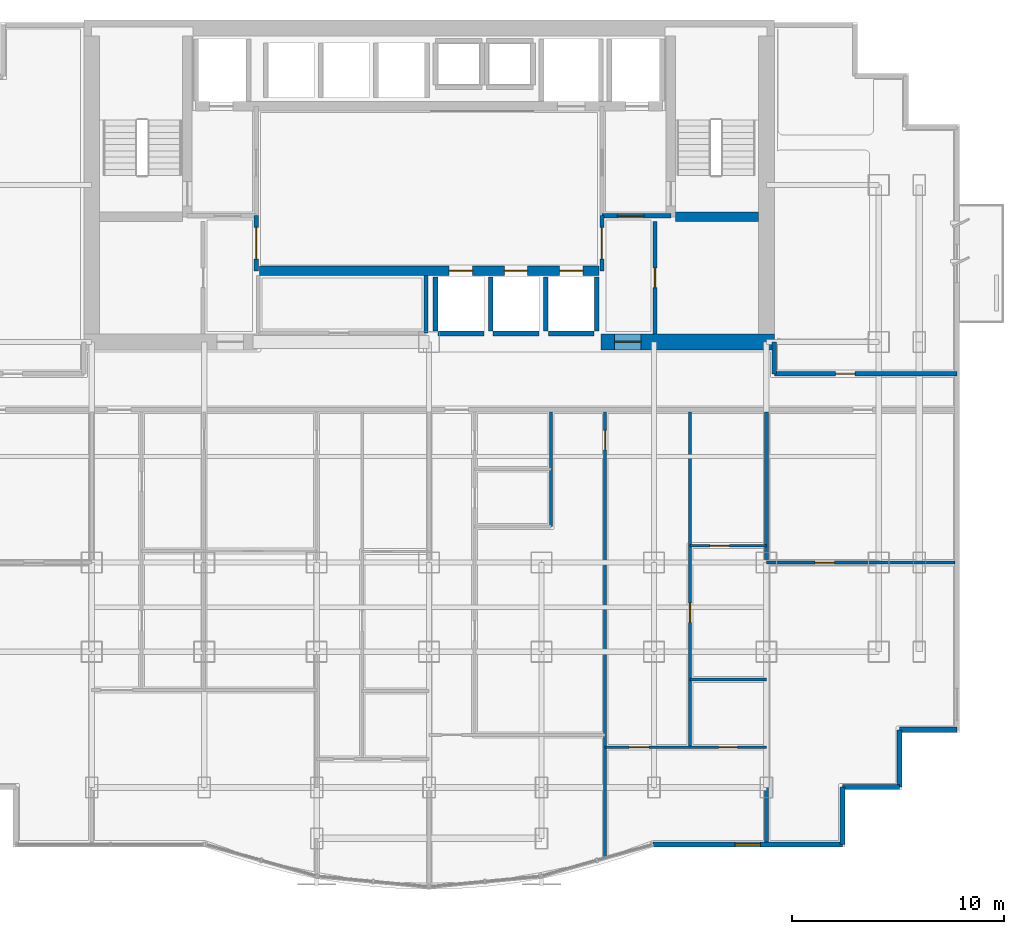
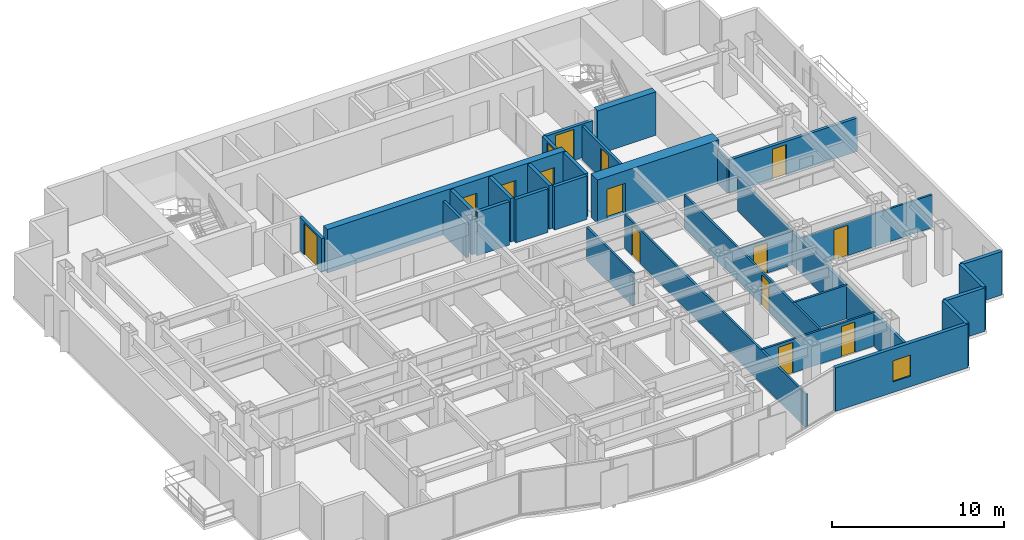
# One storey, part 6 of 10: 30 walls, 15 doors, 1 window, 16 openings.
"""IFC4 building model written with IfcOpenShell, lengths in metres."""

import ifcopenshell
import ifcopenshell.guid

model = None  # the IFC model being written
_history = None  # IfcOwnerHistory: only IFC2X3 demands one
_inside = {}  # id of a spatial element -> (the spatial element, [elements in it])
_under = {}  # id of a project, library or spatial element -> (it, [spatial elements below it])
_declared = {}  # id of a project -> (the project, [libraries it declares])
_typed = {}  # id of a type object -> (the type object, [elements of that type])
_made_of = {}  # id of a material, layer set ... -> (it, [elements and type objects made of it])


def new_model(schema):
    """Start an empty IFC model of exactly this schema.

    Asked for "IFC4X3", IfcOpenShell would pick the latest addendum, in which some entities
    have other attributes; the version numbers below select the first issue.
    IFC2X3 requires an IfcOwnerHistory on every rooted entity: one is made here for all.
    """
    global model, _history
    if schema == "IFC4X3":
        model = ifcopenshell.file(schema_version=(4, 3, 0, 0))
    else:
        model = ifcopenshell.file(schema=schema)
    _inside.clear()
    _under.clear()
    _declared.clear()
    _typed.clear()
    _made_of.clear()
    _history = None
    if model.schema == "IFC2X3":
        org = make("IfcOrganization", Name="unknown")
        user = make(
            "IfcPersonAndOrganization",
            ThePerson=make("IfcPerson", FamilyName="unknown"),
            TheOrganization=org,
        )
        app = make(
            "IfcApplication",
            ApplicationDeveloper=org,
            Version="unknown",
            ApplicationFullName="unknown",
            ApplicationIdentifier="unknown",
        )
        _history = make(
            "IfcOwnerHistory",
            OwningUser=user,
            OwningApplication=app,
            ChangeAction="ADDED",
            CreationDate=0,
        )
    return model


def make(cls, **values):
    """One entity of the class cls with the attributes given. An attribute that is None is left unset."""
    return model.create_entity(
        cls, **{name: value for name, value in values.items() if value is not None}
    )


def rooted(cls, **values):
    """An entity with a GlobalId (a new one), such as an element, a storey or a relation."""
    return make(cls, GlobalId=ifcopenshell.guid.new(), OwnerHistory=_history, **values)


def si_unit(unit_type, name, prefix=None):
    """IfcSIUnit, for example si_unit("LENGTHUNIT", "METRE", prefix="MILLI")."""
    return make("IfcSIUnit", UnitType=unit_type, Prefix=prefix, Name=name)


def assignment(units):
    """IfcUnitAssignment: the units of a project."""
    return None if units is None else make("IfcUnitAssignment", Units=units)


def point(xyz):
    """IfcCartesianPoint."""
    return None if xyz is None else make("IfcCartesianPoint", Coordinates=xyz)


def direction(xyz):
    """IfcDirection."""
    return None if xyz is None else make("IfcDirection", DirectionRatios=xyz)


def frame(location, z_axis=None, x_axis=None):
    """IfcAxis2Placement3D, a coordinate frame: its origin and axes. An axis left out is left unset."""
    return make(
        "IfcAxis2Placement3D",
        Location=point(location),
        Axis=direction(z_axis),
        RefDirection=direction(x_axis),
    )


def frame_2d(location, x_axis=None):
    """IfcAxis2Placement2D, a coordinate frame in the plane: its origin and x axis."""
    return make(
        "IfcAxis2Placement2D", Location=point(location), RefDirection=direction(x_axis)
    )


def origin():
    """The frame at (0, 0, 0) with its axes left unset."""
    return frame((0.0, 0.0, 0.0))


def place(relative_to, where):
    """IfcLocalPlacement: puts the frame where relative to a parent placement (None: the world)."""
    return make(
        "IfcLocalPlacement", PlacementRelTo=relative_to, RelativePlacement=where
    )


def context(
    kind, dimensions, precision=None, world=None, true_north=None, identifier=None
):
    """IfcGeometricRepresentationContext, for example the 3D "Model" context."""
    return make(
        "IfcGeometricRepresentationContext",
        ContextIdentifier=identifier,
        ContextType=kind,
        CoordinateSpaceDimension=dimensions,
        Precision=precision,
        WorldCoordinateSystem=world,
        TrueNorth=true_north,
    )


def subcontext(parent, identifier, kind, view, scale=None):
    """IfcGeometricRepresentationSubContext, for example "Body" below "Model"."""
    return make(
        "IfcGeometricRepresentationSubContext",
        ContextIdentifier=identifier,
        ContextType=kind,
        ParentContext=parent,
        TargetScale=scale,
        TargetView=view,
    )


def project(units=None, contexts=None):
    """IfcProject with its units and contexts."""
    return rooted(
        "IfcProject",
        Name="project",
        RepresentationContexts=contexts,
        UnitsInContext=assignment(units),
    )


def spatial(cls, under=None, at=None, **own):
    """A site, building, storey or space (cls), placed at a placement, below another one or the project."""
    s = rooted(cls, ObjectPlacement=at, **own)
    if under is not None:
        _under.setdefault(under.id(), (under, []))[1].append(s)
    return s


def profile(cls, at=None, kind="AREA", **sizes):
    """A parametric profile (cls). Its sizes go by their IFC names, for example OverallWidth=200.0."""
    return make(cls, ProfileType=kind, Position=at, **sizes)


def rectangle(**sizes):
    """IfcRectangleProfileDef."""
    return profile("IfcRectangleProfileDef", **sizes)


def extrude(swept, where, along, depth):
    """IfcExtrudedAreaSolid: the profile swept, set in the frame where, extruded along a direction by depth."""
    return make(
        "IfcExtrudedAreaSolid",
        SweptArea=swept,
        Position=where,
        ExtrudedDirection=direction(along),
        Depth=depth,
    )


def shape(context_of_items, identifier, shape_type, items):
    """IfcShapeRepresentation: the items that make up one representation, for example the "Body"."""
    return make(
        "IfcShapeRepresentation",
        ContextOfItems=context_of_items,
        RepresentationIdentifier=identifier,
        RepresentationType=shape_type,
        Items=items,
    )


def material(Name=None, Category=None):
    """IfcMaterial."""
    return make("IfcMaterial", Name=Name, Category=Category)


def layer(
    of_material, thickness, ventilated=None, Name=None, Category=None, Priority=None
):
    """IfcMaterialLayer: one layer of a wall or slab, of a material (None: an air gap)."""
    return make(
        "IfcMaterialLayer",
        Material=of_material,
        LayerThickness=thickness,
        IsVentilated=ventilated,
        Name=Name,
        Category=Category,
        Priority=Priority,
    )


def layer_set(layers, Name=None):
    """IfcMaterialLayerSet."""
    return make("IfcMaterialLayerSet", MaterialLayers=layers, LayerSetName=Name)


def made_of(thing, what):
    """Note that an element or type object is made of a material, layer set ...; save() writes the relation."""
    if what is not None:
        _made_of.setdefault(what.id(), (what, []))[1].append(thing)
    return thing


def type_object(cls, material=None, **own):
    """A type object (cls), such as IfcWallType, which elements share."""
    return made_of(rooted(cls, **own), material)


def element(
    cls,
    number,
    at=None,
    inside=None,
    cuts=None,
    type_object=None,
    material=None,
    context=None,
    identifier="Body",
    shape_type=None,
    held_by="IfcProductDefinitionShape",
    body=None,
    shapes=None,
    **own,
):
    """One element of the class cls, such as IfcWall. Its Tag is "e" and its number.

    at: its placement. inside: the storey or other place that contains it. cuts: it is an
    opening in that element (IfcRelVoidsElement). A single representation is given by context,
    identifier, shape_type and body (its items); several are given by shapes. held_by: the class
    of the entity that holds the representations. save() writes the other relations.
    """
    e = rooted(cls, Tag="e%d" % number, ObjectPlacement=at, **own)
    if body is not None:
        shapes = [shape(context, identifier, shape_type, body)]
    if shapes is not None:
        e.Representation = make(held_by, Representations=shapes)
    if inside is not None:
        _inside.setdefault(inside.id(), (inside, []))[1].append(e)
    if cuts is not None:
        rooted(
            "IfcRelVoidsElement", RelatingBuildingElement=cuts, RelatedOpeningElement=e
        )
    if type_object is not None:
        _typed.setdefault(type_object.id(), (type_object, []))[1].append(e)
    return made_of(e, material)


def fill(opening, filler):
    """IfcRelFillsElement: the door or window that sits in an opening."""
    return rooted(
        "IfcRelFillsElement",
        RelatingOpeningElement=opening,
        RelatedBuildingElement=filler,
    )


def aggregate(whole, parts):
    """IfcRelAggregates: a whole, such as a stair, and the parts it consists of."""
    return rooted("IfcRelAggregates", RelatingObject=whole, RelatedObjects=parts)


def save(model, path):
    """Write the relations noted so far, then the file.

    IfcRelAggregates (storeys below a building ...), IfcRelContainedInSpatialStructure (elements
    in a storey), IfcRelDefinesByType, IfcRelAssociatesMaterial and IfcRelDeclares: one each for
    every whole, place, type object, material and project.
    """
    for whole, parts in _under.values():
        aggregate(whole, parts)
    for where, things in _inside.values():
        rooted(
            "IfcRelContainedInSpatialStructure",
            RelatedElements=things,
            RelatingStructure=where,
        )
    for kind, things in _typed.values():
        rooted("IfcRelDefinesByType", RelatedObjects=things, RelatingType=kind)
    for what, things in _made_of.values():
        rooted("IfcRelAssociatesMaterial", RelatedObjects=things, RelatingMaterial=what)
    for by, libraries in _declared.values():
        rooted("IfcRelDeclares", RelatingContext=by, RelatedDefinitions=libraries)
    model.write(path)


model = new_model("IFC4")

# Units and contexts
model_context = context("Model", 3, precision=1e-05, world=origin(), true_north=direction((0.0, 1.0)))
body_context = subcontext(model_context, "Body", "Model", "MODEL_VIEW")
ifc_project = project(units=[si_unit("LENGTHUNIT", "METRE"), si_unit("AREAUNIT", "SQUARE_METRE"), si_unit("VOLUMEUNIT", "CUBIC_METRE"), si_unit("PLANEANGLEUNIT", "RADIAN"), si_unit("MASSUNIT", "GRAM", prefix="KILO")], contexts=[model_context])

# Site, building, storey
site_placement = place(None, origin())
site = spatial("IfcSite", under=ifc_project, at=site_placement, CompositionType="ELEMENT")
building_placement = place(site_placement, origin())
building = spatial("IfcBuilding", under=site, at=building_placement, Name="Qianlan Lanfeng Residences", CompositionType="ELEMENT")
storey_placement = place(building_placement, frame((0.0, 0.0, 94.89990234375)))
storey = spatial("IfcBuildingStorey", under=building, at=storey_placement, Name="L25", CompositionType="ELEMENT", Elevation=94.89990234375)

# Wall
ifc_material_1 = material(Name="Concrete C60", Category="concrete")
ifc_layer_1 = layer(ifc_material_1, 0.449951171875)
ifc_layer_set_1 = layer_set([ifc_layer_1], Name="Concrete C60")
wall_type_1 = type_object("IfcWallType", Name="CW-RC-450", PredefinedType="SHEAR", material=ifc_layer_set_1)
wall_1_placement = place(storey_placement, frame((38.125, 31.10009765625, 0.0), z_axis=(0.0, 0.0, 1.0), x_axis=(1.0, 0.0, 0.0)))
element("IfcWall", 1, at=wall_1_placement, inside=storey, type_object=wall_type_1, Name="L25 Core Shear Wall ST2S", PredefinedType="SHEAR", context=body_context, shape_type="SweptSolid", body=[
    extrude(rectangle(XDim=3.89990234375, YDim=0.449951171875, at=frame_2d((1.949951171875, 0.0))), origin(), (0.0, 0.0, 1.0), 3.090087890625),
])

# Wall, openings, doors
wall_2_placement = place(storey_placement, frame((18.5, 28.550048828125, 0.0), z_axis=(0.0, 0.0, 1.0), x_axis=(1.0, 0.0, 0.0)))
wall_2 = element("IfcWall", 2, at=wall_2_placement, inside=storey, type_object=wall_type_1, Name="L25 Core Shear Wall LBS", PredefinedType="SHEAR", context=body_context, shape_type="SweptSolid", body=[
    extrude(rectangle(XDim=16.0, YDim=0.449951171875, at=frame_2d((8.0, 0.0))), origin(), (0.0, 0.0, 1.0), 3.090087890625),
])
opening_1_placement = place(wall_2_placement, frame((8.949951171875, 0.0, 0.0)))
opening_1 = element("IfcOpeningElement", 3, at=opening_1_placement, cuts=wall_2, Name="Opening L25-LD-PL-M1", PredefinedType="OPENING", context=body_context, shape_type="SweptSolid", body=[
    extrude(rectangle(XDim=1.10009765625, YDim=2.14990234375, at=frame_2d((0.550048828125, 1.074951171875))), frame((0.0, 0.23486328125, 0.0), z_axis=(0.0, -1.0, 0.0), x_axis=(1.0, 0.0, 0.0)), (0.0, 0.0, 1.0), 0.469970703125),
])
opening_2_placement = place(wall_2_placement, frame((11.550048828125, 0.0, 0.0)))
opening_2 = element("IfcOpeningElement", 4, at=opening_2_placement, cuts=wall_2, Name="Opening L25-LD-PL-M2", PredefinedType="OPENING", context=body_context, shape_type="SweptSolid", body=[
    extrude(rectangle(XDim=1.10009765625, YDim=2.14990234375, at=frame_2d((0.550048828125, 1.074951171875))), frame((0.0, 0.23486328125, 0.0), z_axis=(0.0, -1.0, 0.0), x_axis=(1.0, 0.0, 0.0)), (0.0, 0.0, 1.0), 0.469970703125),
])
opening_3_placement = place(wall_2_placement, frame((14.14990234375, 0.0, 0.0)))
opening_3 = element("IfcOpeningElement", 5, at=opening_3_placement, cuts=wall_2, Name="Opening L25-LD-PL-M3", PredefinedType="OPENING", context=body_context, shape_type="SweptSolid", body=[
    extrude(rectangle(XDim=1.10009765625, YDim=2.14990234375, at=frame_2d((0.550048828125, 1.074951171875))), frame((0.0, 0.23486328125, 0.0), z_axis=(0.0, -1.0, 0.0), x_axis=(1.0, 0.0, 0.0)), (0.0, 0.0, 1.0), 0.469970703125),
])
ifc_material_2 = material(Name="Brushed Stainless Steel Sliding Lift Door", Category="steel")
door_type_1 = type_object("IfcDoorType", Name="LD-01", OperationType="NOTDEFINED", PredefinedType="DOOR", material=ifc_material_2)
door_1_placement = place(opening_1_placement, origin())
door_1 = element("IfcDoor", 6, at=door_1_placement, inside=storey, type_object=door_type_1, Name="L25 Elevator PL-M1 Sliding Landing Door", OperationType="DOUBLE_DOOR_SLIDING", OverallHeight=2.14990234375, OverallWidth=1.10009765625, PredefinedType="DOOR", context=body_context, shape_type="SweptSolid", body=[
    extrude(rectangle(XDim=1.10009765625, YDim=2.14990234375, at=frame_2d((0.550048828125, 1.074951171875))), frame((0.0, 0.02490234375, 0.0), z_axis=(0.0, -1.0, 0.0), x_axis=(1.0, 0.0, 0.0)), (0.0, 0.0, 1.0), 0.050048828125),
])
fill(opening_1, door_1)
door_2_placement = place(opening_2_placement, origin())
door_2 = element("IfcDoor", 7, at=door_2_placement, inside=storey, type_object=door_type_1, Name="L25 Elevator PL-M2 Sliding Landing Door", OperationType="DOUBLE_DOOR_SLIDING", OverallHeight=2.14990234375, OverallWidth=1.10009765625, PredefinedType="DOOR", context=body_context, shape_type="SweptSolid", body=[
    extrude(rectangle(XDim=1.10009765625, YDim=2.14990234375, at=frame_2d((0.550048828125, 1.074951171875))), frame((0.0, 0.02490234375, 0.0), z_axis=(0.0, -1.0, 0.0), x_axis=(1.0, 0.0, 0.0)), (0.0, 0.0, 1.0), 0.050048828125),
])
fill(opening_2, door_2)
door_3_placement = place(opening_3_placement, origin())
door_3 = element("IfcDoor", 8, at=door_3_placement, inside=storey, type_object=door_type_1, Name="L25 Elevator PL-M3 Sliding Landing Door", OperationType="DOUBLE_DOOR_SLIDING", OverallHeight=2.14990234375, OverallWidth=1.10009765625, PredefinedType="DOOR", context=body_context, shape_type="SweptSolid", body=[
    extrude(rectangle(XDim=1.10009765625, YDim=2.14990234375, at=frame_2d((0.550048828125, 1.074951171875))), frame((0.0, 0.02490234375, 0.0), z_axis=(0.0, -1.0, 0.0), x_axis=(1.0, 0.0, 0.0)), (0.0, 0.0, 1.0), 0.050048828125),
])
fill(opening_3, door_3)

# Wall, opening, door
ifc_layer_2 = layer(ifc_material_1, 0.75)
ifc_layer_set_2 = layer_set([ifc_layer_2], Name="Concrete C60")
wall_type_2 = type_object("IfcWallType", Name="CW-RC-750", PredefinedType="SHEAR", material=ifc_layer_set_2)
wall_3_placement = place(storey_placement, frame((34.60009765625, 25.199951171875, 0.0), z_axis=(0.0, 0.0, 1.0), x_axis=(1.0, 0.0, 0.0)))
wall_3 = element("IfcWall", 9, at=wall_3_placement, inside=storey, type_object=wall_type_2, Name="L25 Core Shear Wall SE", PredefinedType="SHEAR", context=body_context, shape_type="SweptSolid", body=[
    extrude(rectangle(XDim=8.1748046875, YDim=0.75, at=frame_2d((4.08740234375, 0.0))), origin(), (0.0, 0.0, 1.0), 3.090087890625),
])
opening_4_placement = place(wall_3_placement, frame((0.64990234375, 0.0, 0.0)))
opening_4 = element("IfcOpeningElement", 10, at=opening_4_placement, cuts=wall_3, Name="Opening L25-D02", PredefinedType="OPENING", context=body_context, shape_type="SweptSolid", body=[
    extrude(rectangle(XDim=1.25, YDim=2.199951171875, at=frame_2d((0.625, 1.10009765625))), frame((0.0, 0.385009765625, 0.0), z_axis=(0.0, -1.0, 0.0), x_axis=(1.0, 0.0, 0.0)), (0.0, 0.0, 1.0), 0.77001953125),
])
ifc_material_3 = material(Name="Painted Galvanised Steel Fire Door", Category="steel")
door_type_2 = type_object("IfcDoorType", Name="DT-FFL", OperationType="NOTDEFINED", PredefinedType="DOOR", material=ifc_material_3)
door_4_placement = place(opening_4_placement, frame((1.25, 0.0, 0.0), z_axis=(0.0, 0.0, 1.0), x_axis=(-1.0, 0.0, 0.0)))
door_4 = element("IfcDoor", 11, at=door_4_placement, inside=storey, type_object=door_type_2, Name="L25 East Core Lobby Smoke Door L25-D02 (DT-FFL)", OperationType="SINGLE_SWING_LEFT", OverallHeight=2.199951171875, OverallWidth=1.25, PredefinedType="DOOR", context=body_context, shape_type="SweptSolid", body=[
    extrude(rectangle(XDim=1.25, YDim=2.199951171875, at=frame_2d((0.625, 1.10009765625))), frame((0.0, 0.02490234375, 0.0), z_axis=(0.0, -1.0, 0.0), x_axis=(1.0, 0.0, 0.0)), (0.0, 0.0, 1.0), 0.050048828125),
])
fill(opening_4, door_4)

# Wall, opening, window
ifc_material_4 = material(Name="Concrete C42", Category="concrete")
ifc_layer_3 = layer(ifc_material_4, 0.239990234375)
ifc_layer_set_3 = layer_set([ifc_layer_3], Name="Concrete C42")
wall_type_3 = type_object("IfcWallType", Name="EW-240", PredefinedType="SOLIDWALL", material=ifc_layer_set_3)
wall_4_placement = place(storey_placement, frame((37.05908203125, 1.52001953125, 0.0), z_axis=(0.0, 0.0, 1.0), x_axis=(1.0, 0.0, 0.0)))
wall_4 = element("IfcWall", 12, at=wall_4_placement, inside=storey, type_object=wall_type_3, Name="L25 Exterior Facade Spandrel Wall 5", PredefinedType="SOLIDWALL", context=body_context, shape_type="SweptSolid", body=[
    extrude(rectangle(XDim=8.9208984375, YDim=0.239990234375, at=frame_2d((4.46044921875, 0.0))), origin(), (0.0, 0.0, 1.0), 3.090087890625),
])
opening_5_placement = place(wall_4_placement, frame((3.860107421875, 0.0, 0.75)))
opening_5 = element("IfcOpeningElement", 13, at=opening_5_placement, cuts=wall_4, Name="Opening W-03", PredefinedType="OPENING", context=body_context, shape_type="SweptSolid", body=[
    extrude(rectangle(XDim=1.199951171875, YDim=1.5, at=frame_2d((0.60009765625, 0.75))), frame((0.0, 0.1298828125, 0.0), z_axis=(0.0, -1.0, 0.0), x_axis=(1.0, 0.0, 0.0)), (0.0, 0.0, 1.0), 0.260009765625),
])
ifc_material_5 = material(Name="Anodised Bronze Aluminium Framed Double Glazing", Category="aluminium")
window_type = type_object("IfcWindowType", Name="W-03", PartitioningType="SINGLE_PANEL", PredefinedType="WINDOW", material=ifc_material_5)
window_placement = place(opening_5_placement, origin())
window = element("IfcWindow", 14, at=window_placement, inside=storey, type_object=window_type, Name="L25 Facade Punched Window W-03", OverallHeight=1.5, OverallWidth=1.199951171875, PartitioningType="SINGLE_PANEL", PredefinedType="WINDOW", context=body_context, shape_type="SweptSolid", body=[
    extrude(rectangle(XDim=1.199951171875, YDim=1.5, at=frame_2d((0.60009765625, 0.75))), frame((0.0, 0.030029296875, 0.0), z_axis=(0.0, -1.0, 0.0), x_axis=(1.0, 0.0, 0.0)), (0.0, 0.0, 1.0), 0.06005859375),
])
fill(opening_5, window)

# Walls
for number, where, z_axis, x_axis, name in (
    (15, (45.97998046875, 1.52001953125, 0.0), (0.0, 0.0, 1.0), (0.0, 1.0, 0.0), "L25 Exterior Facade Spandrel Wall 6"),
    (16, (45.97998046875, 4.219970703125, 0.0), (0.0, 0.0, 1.0), (1.0, 0.0, 0.0), "L25 Exterior Facade Spandrel Wall 7"),
    (17, (48.679931640625, 4.219970703125, 0.0), (0.0, 0.0, 1.0), (0.0, 1.0, 0.0), "L25 Exterior Facade Spandrel Wall 8"),
    (18, (48.679931640625, 6.919921875, 0.0), (0.0, 0.0, 1.0), (1.0, 0.0, 0.0), "L25 Exterior Facade Spandrel Wall 9"),
):
    element("IfcWall", number, at=place(storey_placement, frame(where, z_axis=z_axis, x_axis=x_axis)), inside=storey, type_object=wall_type_3, Name=name, PredefinedType="SOLIDWALL", context=body_context, shape_type="SweptSolid", body=[
        extrude(rectangle(XDim=2.699951171875, YDim=0.239990234375, at=frame_2d((1.35009765625, 0.0))), origin(), (0.0, 0.0, 1.0), 3.090087890625),
    ])

# Wall, opening, door
ifc_material_6 = material(Name="Demountable Acoustic Framing Partition 110 mm")
ifc_layer_4 = layer(ifc_material_6, 0.110107421875)
ifc_layer_set_4 = layer_set([ifc_layer_4], Name="Demountable Acoustic Framing Partition 110 mm")
wall_type_4 = type_object("IfcWallType", Name="PW-110", PredefinedType="MOVABLE", material=ifc_layer_set_4)
wall_5_placement = place(storey_placement, frame((38.800048828125, 15.596923828125, 0.0), z_axis=(0.0, 0.0, 1.0), x_axis=(1.0, 0.0, 0.0)))
wall_5 = element("IfcWall", 19, at=wall_5_placement, inside=storey, type_object=wall_type_4, Name="L25 U02 Wardrobe Split", PredefinedType="MOVABLE", context=body_context, shape_type="SweptSolid", body=[
    extrude(rectangle(XDim=3.599853515625, YDim=0.110107421875, at=frame_2d((1.7998046875, 0.0))), origin(), (0.0, 0.0, 1.0), 2.380126953125),
])
opening_6_placement = place(wall_5_placement, frame((0.93994140625, 0.0, 0.0)))
opening_6 = element("IfcOpeningElement", 20, at=opening_6_placement, cuts=wall_5, Name="Opening L25-D34", PredefinedType="OPENING", context=body_context, shape_type="SweptSolid", body=[
    extrude(rectangle(XDim=0.919921875, YDim=2.14990234375, at=frame_2d((0.4599609375, 1.074951171875))), frame((0.0, 0.06494140625, 0.0), z_axis=(0.0, -1.0, 0.0), x_axis=(1.0, 0.0, 0.0)), (0.0, 0.0, 1.0), 0.130126953125),
])
ifc_material_7 = material(Name="Glazed Timber Kitchen/Study Door", Category="wood")
door_type_3 = type_object("IfcDoorType", Name="DT-INT", OperationType="NOTDEFINED", PredefinedType="DOOR", material=ifc_material_7)
door_5_placement = place(opening_6_placement, origin())
door_5 = element("IfcDoor", 21, at=door_5_placement, inside=storey, type_object=door_type_3, Name="L25 U02 Dressing Inner Door L25-D34 (DT-INT)", OperationType="SINGLE_SWING_LEFT", OverallHeight=2.14990234375, OverallWidth=0.919921875, PredefinedType="DOOR", context=body_context, shape_type="SweptSolid", body=[
    extrude(rectangle(XDim=0.919921875, YDim=2.14990234375, at=frame_2d((0.4599609375, 1.074951171875))), frame((0.0, 0.02490234375, 0.0), z_axis=(0.0, -1.0, 0.0), x_axis=(1.0, 0.0, 0.0)), (0.0, 0.0, 1.0), 0.050048828125),
])
fill(opening_6, door_5)

ifc_material_8 = material(Name="Moisture-Resistant Gypsum Partition 135 mm")
ifc_layer_5 = layer(ifc_material_8, 0.135009765625)
ifc_layer_set_5 = layer_set([ifc_layer_5], Name="Moisture-Resistant Gypsum Partition 135 mm")
wall_type_5 = type_object("IfcWallType", Name="PW-135", PredefinedType="PARTITIONING", material=ifc_layer_set_5)
wall_6_placement = place(storey_placement, frame((34.800048828125, 0.866943359375, 0.0), z_axis=(0.0, 0.0, 1.0), x_axis=(0.0, 1.0, 0.0)))
wall_6 = element("IfcWall", 22, at=wall_6_placement, inside=storey, type_object=wall_type_5, Name="L25 U02 Bay Spine Wall 1", PredefinedType="PARTITIONING", context=body_context, shape_type="SweptSolid", body=[
    extrude(rectangle(XDim=21.032958984375, YDim=0.135009765625, at=frame_2d((10.5166015625, 0.0))), origin(), (0.0, 0.0, 1.0), 2.380126953125),
])
opening_7_placement = place(wall_6_placement, frame((19.248046875, 0.0, 0.0)))
opening_7 = element("IfcOpeningElement", 23, at=opening_7_placement, cuts=wall_6, Name="Opening L25-D26", PredefinedType="OPENING", context=body_context, shape_type="SweptSolid", body=[
    extrude(rectangle(XDim=0.919921875, YDim=2.14990234375, at=frame_2d((0.4599609375, 1.074951171875))), frame((0.0, 0.07763671875, 0.0), z_axis=(0.0, -1.0, 0.0), x_axis=(1.0, 0.0, 0.0)), (0.0, 0.0, 1.0), 0.155029296875),
])
door_6_placement = place(opening_7_placement, origin())
door_6 = element("IfcDoor", 24, at=door_6_placement, inside=storey, type_object=door_type_3, Name="L25 U02 Internal Hall Door L25-D26 (DT-INT)", OperationType="SINGLE_SWING_LEFT", OverallHeight=2.14990234375, OverallWidth=0.919921875, PredefinedType="DOOR", context=body_context, shape_type="SweptSolid", body=[
    extrude(rectangle(XDim=0.919921875, YDim=2.14990234375, at=frame_2d((0.4599609375, 1.074951171875))), frame((0.0, 0.02490234375, 0.0), z_axis=(0.0, -1.0, 0.0), x_axis=(1.0, 0.0, 0.0)), (0.0, 0.0, 1.0), 0.050048828125),
])
fill(opening_7, door_6)

# Wall
wall_7_placement = place(storey_placement, frame((32.25, 16.5, 0.0), z_axis=(0.0, 0.0, 1.0), x_axis=(0.0, 1.0, 0.0)))
element("IfcWall", 25, at=wall_7_placement, inside=storey, type_object=wall_type_5, Name="L25 U02 Dining East Wall", PredefinedType="PARTITIONING", context=body_context, shape_type="SweptSolid", body=[
    extrude(rectangle(XDim=5.39990234375, YDim=0.135009765625, at=frame_2d((2.699951171875, 0.0))), origin(), (0.0, 0.0, 1.0), 2.380126953125),
])

# Wall, openings, doors
wall_8_placement = place(storey_placement, frame((34.800048828125, 6.093994140625, 0.0), z_axis=(0.0, 0.0, 1.0), x_axis=(1.0, 0.0, 0.0)))
wall_8 = element("IfcWall", 26, at=wall_8_placement, inside=storey, type_object=wall_type_5, Name="L25 U02 Master Bedroom North Wall", PredefinedType="PARTITIONING", context=body_context, shape_type="SweptSolid", body=[
    extrude(rectangle(XDim=7.599853515625, YDim=0.135009765625, at=frame_2d((3.7998046875, 0.0))), origin(), (0.0, 0.0, 1.0), 2.380126953125),
])
opening_8_placement = place(wall_8_placement, frame((1.125, 0.0, 0.0)))
opening_8 = element("IfcOpeningElement", 27, at=opening_8_placement, cuts=wall_8, Name="Opening L25-D31", PredefinedType="OPENING", context=body_context, shape_type="SweptSolid", body=[
    extrude(rectangle(XDim=0.949951171875, YDim=2.14990234375, at=frame_2d((0.47509765625, 1.074951171875))), frame((0.0, 0.07763671875, 0.0), z_axis=(0.0, -1.0, 0.0), x_axis=(1.0, 0.0, 0.0)), (0.0, 0.0, 1.0), 0.155029296875),
])
opening_9_placement = place(wall_8_placement, frame((5.35009765625, 0.0, 0.0)))
opening_9 = element("IfcOpeningElement", 28, at=opening_9_placement, cuts=wall_8, Name="Opening L25-D32", PredefinedType="OPENING", context=body_context, shape_type="SweptSolid", body=[
    extrude(rectangle(XDim=0.89990234375, YDim=2.14990234375, at=frame_2d((0.449951171875, 1.074951171875))), frame((0.0, 0.07763671875, 0.0), z_axis=(0.0, -1.0, 0.0), x_axis=(1.0, 0.0, 0.0)), (0.0, 0.0, 1.0), 0.155029296875),
])
ifc_material_9 = material(Name="Painted Solid-Core Timber Leaf", Category="wood")
door_type_4 = type_object("IfcDoorType", Name="DT-BED", OperationType="NOTDEFINED", PredefinedType="DOOR", material=ifc_material_9)
door_7_placement = place(opening_8_placement, origin())
door_7 = element("IfcDoor", 29, at=door_7_placement, inside=storey, type_object=door_type_4, Name="L25 U02 Master Bedroom Door L25-D31 (DT-BED)", OperationType="SINGLE_SWING_RIGHT", OverallHeight=2.14990234375, OverallWidth=0.949951171875, PredefinedType="DOOR", context=body_context, shape_type="SweptSolid", body=[
    extrude(rectangle(XDim=0.949951171875, YDim=2.14990234375, at=frame_2d((0.47509765625, 1.074951171875))), frame((0.0, 0.02490234375, 0.0), z_axis=(0.0, -1.0, 0.0), x_axis=(1.0, 0.0, 0.0)), (0.0, 0.0, 1.0), 0.050048828125),
])
fill(opening_8, door_7)
ifc_material_10 = material(Name="Moisture-Resistant Timber Leaf", Category="wood")
door_type_5 = type_object("IfcDoorType", Name="DT-WC", OperationType="NOTDEFINED", PredefinedType="DOOR", material=ifc_material_10)
door_8_placement = place(opening_9_placement, origin())
door_8 = element("IfcDoor", 30, at=door_8_placement, inside=storey, type_object=door_type_5, Name="L25 U02 En-Suite Bathroom Door L25-D32 (DT-WC)", OperationType="SINGLE_SWING_LEFT", OverallHeight=2.14990234375, OverallWidth=0.89990234375, PredefinedType="DOOR", context=body_context, shape_type="SweptSolid", body=[
    extrude(rectangle(XDim=0.89990234375, YDim=2.14990234375, at=frame_2d((0.449951171875, 1.074951171875))), frame((0.0, 0.02490234375, 0.0), z_axis=(0.0, -1.0, 0.0), x_axis=(1.0, 0.0, 0.0)), (0.0, 0.0, 1.0), 0.050048828125),
])
fill(opening_9, door_8)

# Wall, opening, door
wall_9_placement = place(storey_placement, frame((38.800048828125, 6.093994140625, 0.0), z_axis=(0.0, 0.0, 1.0), x_axis=(0.0, 1.0, 0.0)))
wall_9 = element("IfcWall", 31, at=wall_9_placement, inside=storey, type_object=wall_type_5, Name="L25 U02 Master Passage Wall", PredefinedType="PARTITIONING", context=body_context, shape_type="SweptSolid", body=[
    extrude(rectangle(XDim=15.805908203125, YDim=0.135009765625, at=frame_2d((7.90283203125, 0.0))), origin(), (0.0, 0.0, 1.0), 2.380126953125),
])
opening_10_placement = place(wall_9_placement, frame((5.89111328125, 0.0, 0.0)))
opening_10 = element("IfcOpeningElement", 32, at=opening_10_placement, cuts=wall_9, Name="Opening L25-D33", PredefinedType="OPENING", context=body_context, shape_type="SweptSolid", body=[
    extrude(rectangle(XDim=0.919921875, YDim=2.14990234375, at=frame_2d((0.4599609375, 1.074951171875))), frame((0.0, 0.07763671875, 0.0), z_axis=(0.0, -1.0, 0.0), x_axis=(1.0, 0.0, 0.0)), (0.0, 0.0, 1.0), 0.155029296875),
])
door_9_placement = place(opening_10_placement, origin())
door_9 = element("IfcDoor", 33, at=door_9_placement, inside=storey, type_object=door_type_3, Name="L25 U02 Wardrobe Door L25-D33 (DT-INT)", OperationType="SINGLE_SWING_RIGHT", OverallHeight=2.14990234375, OverallWidth=0.919921875, PredefinedType="DOOR", context=body_context, shape_type="SweptSolid", body=[
    extrude(rectangle(XDim=0.919921875, YDim=2.14990234375, at=frame_2d((0.4599609375, 1.074951171875))), frame((0.0, 0.02490234375, 0.0), z_axis=(0.0, -1.0, 0.0), x_axis=(1.0, 0.0, 0.0)), (0.0, 0.0, 1.0), 0.050048828125),
])
fill(opening_10, door_9)

# Wall
wall_10_placement = place(storey_placement, frame((38.800048828125, 9.2939453125, 0.0), z_axis=(0.0, 0.0, 1.0), x_axis=(1.0, 0.0, 0.0)))
element("IfcWall", 34, at=wall_10_placement, inside=storey, type_object=wall_type_5, Name="L25 U02 En-Suite North Wall", PredefinedType="PARTITIONING", context=body_context, shape_type="SweptSolid", body=[
    extrude(rectangle(XDim=3.599853515625, YDim=0.135009765625, at=frame_2d((1.7998046875, 0.0))), origin(), (0.0, 0.0, 1.0), 2.380126953125),
])

# Wall, opening, door
wall_11_placement = place(storey_placement, frame((42.39990234375, 14.800048828125, 0.0), z_axis=(0.0, 0.0, 1.0), x_axis=(1.0, 0.0, 0.0)))
wall_11 = element("IfcWall", 35, at=wall_11_placement, inside=storey, type_object=wall_type_5, Name="L25 SEP Mid Partition", PredefinedType="PARTITIONING", context=body_context, shape_type="SweptSolid", body=[
    extrude(rectangle(XDim=8.880126953125, YDim=0.135009765625, at=frame_2d((4.43994140625, 0.0))), origin(), (0.0, 0.0, 1.0), 2.335205078125),
])
opening_11_placement = place(wall_11_placement, frame((2.280029296875, 0.0, 0.0)))
opening_11 = element("IfcOpeningElement", 36, at=opening_11_placement, cuts=wall_11, Name="Opening L25-D37", PredefinedType="OPENING", context=body_context, shape_type="SweptSolid", body=[
    extrude(rectangle(XDim=0.919921875, YDim=2.14990234375, at=frame_2d((0.4599609375, 1.074951171875))), frame((0.0, 0.07763671875, 0.0), z_axis=(0.0, -1.0, 0.0), x_axis=(1.0, 0.0, 0.0)), (0.0, 0.0, 1.0), 0.155029296875),
])
door_10_placement = place(opening_11_placement, origin())
door_10 = element("IfcDoor", 37, at=door_10_placement, inside=storey, type_object=door_type_3, Name="L25 SEP Inner Door L25-D37 (DT-INT)", OperationType="SINGLE_SWING_RIGHT", OverallHeight=2.14990234375, OverallWidth=0.919921875, PredefinedType="DOOR", context=body_context, shape_type="SweptSolid", body=[
    extrude(rectangle(XDim=0.919921875, YDim=2.14990234375, at=frame_2d((0.4599609375, 1.074951171875))), frame((0.0, 0.02490234375, 0.0), z_axis=(0.0, -1.0, 0.0), x_axis=(1.0, 0.0, 0.0)), (0.0, 0.0, 1.0), 0.050048828125),
])
fill(opening_11, door_10)

ifc_material_11 = material(Name="Double-Layer Acoustic Gypsum Stud Wall 180 mm")
ifc_layer_6 = layer(ifc_material_11, 0.179931640625)
ifc_layer_set_6 = layer_set([ifc_layer_6], Name="Double-Layer Acoustic Gypsum Stud Wall 180 mm")
wall_type_6 = type_object("IfcWallType", Name="PW-180", PredefinedType="PARTITIONING", material=ifc_layer_set_6)
wall_12_placement = place(storey_placement, frame((37.14990234375, 25.574951171875, 0.0), z_axis=(0.0, 0.0, 1.0), x_axis=(0.0, 1.0, 0.0)))
wall_12 = element("IfcWall", 38, at=wall_12_placement, inside=storey, type_object=wall_type_6, Name="L25 Core East Service Room Wall", PredefinedType="PARTITIONING", context=body_context, shape_type="SweptSolid", body=[
    extrude(rectangle(XDim=5.300048828125, YDim=0.179931640625, at=frame_2d((2.64990234375, 0.0))), origin(), (0.0, 0.0, 1.0), 2.380126953125),
])
opening_12_placement = place(wall_12_placement, frame((2.18994140625, 0.0, 0.0)))
opening_12 = element("IfcOpeningElement", 39, at=opening_12_placement, cuts=wall_12, Name="Opening L25-D10", PredefinedType="OPENING", context=body_context, shape_type="SweptSolid", body=[
    extrude(rectangle(XDim=0.919921875, YDim=2.14990234375, at=frame_2d((0.4599609375, 1.074951171875))), frame((0.0, 0.10009765625, 0.0), z_axis=(0.0, -1.0, 0.0), x_axis=(1.0, 0.0, 0.0)), (0.0, 0.0, 1.0), 0.199951171875),
])
door_11_placement = place(opening_12_placement, origin())
door_11 = element("IfcDoor", 40, at=door_11_placement, inside=storey, type_object=door_type_3, Name="L25 Refuse Recycling Door L25-D10 (DT-INT)", OperationType="SINGLE_SWING_LEFT", OverallHeight=2.14990234375, OverallWidth=0.919921875, PredefinedType="DOOR", context=body_context, shape_type="SweptSolid", body=[
    extrude(rectangle(XDim=0.919921875, YDim=2.14990234375, at=frame_2d((0.4599609375, 1.074951171875))), frame((0.0, 0.02490234375, 0.0), z_axis=(0.0, -1.0, 0.0), x_axis=(1.0, 0.0, 0.0)), (0.0, 0.0, 1.0), 0.050048828125),
])
fill(opening_12, door_11)

# Walls
wall_13_placement = place(storey_placement, frame((26.35009765625, 25.6201171875, 0.0), z_axis=(0.0, 0.0, 1.0), x_axis=(0.0, 1.0, 0.0)))
element("IfcWall", 41, at=wall_13_placement, inside=storey, type_object=wall_type_6, Name="L25 Reclaimed Low-Bank Room East Wall", PredefinedType="PARTITIONING", context=body_context, shape_type="SweptSolid", body=[
    extrude(rectangle(XDim=2.704833984375, YDim=0.179931640625, at=frame_2d((1.3525390625, 0.0))), origin(), (0.0, 0.0, 1.0), 2.380126953125),
])
wall_14_placement = place(storey_placement, frame((42.39990234375, 1.6201171875, 0.0), z_axis=(0.0, 0.0, 1.0), x_axis=(0.0, 1.0, 0.0)))
element("IfcWall", 42, at=wall_14_placement, inside=storey, type_object=wall_type_6, Name="L25 Wing Boundary Party Wall E0", PredefinedType="PARTITIONING", context=body_context, shape_type="SweptSolid", body=[
    extrude(rectangle(XDim=20.27978515625, YDim=0.179931640625, at=frame_2d((10.139892578125, 0.0))), origin(), (0.0, 0.0, 1.0), 2.335205078125),
])

# Wall, opening, door
ifc_material_12 = material(Name="Autoclaved Aerated Concrete Blockwork 200 mm", Category="masonry")
ifc_layer_7 = layer(ifc_material_12, 0.199951171875)
ifc_layer_set_7 = layer_set([ifc_layer_7], Name="Autoclaved Aerated Concrete Blockwork 200 mm")
wall_type_7 = type_object("IfcWallType", Name="PW-200", PredefinedType="PARTITIONING", material=ifc_layer_set_7)
wall_15_placement = place(storey_placement, frame((34.64990234375, 31.14990234375, 0.0), z_axis=(0.0, 0.0, 1.0), x_axis=(1.0, 0.0, 0.0)))
wall_15 = element("IfcWall", 43, at=wall_15_placement, inside=storey, type_object=wall_type_7, Name="L25 Firefighting Lobby 2 South Wall", PredefinedType="PARTITIONING", context=body_context, shape_type="SweptSolid", body=[
    extrude(rectangle(XDim=3.25, YDim=0.199951171875, at=frame_2d((1.625, 0.0))), origin(), (0.0, 0.0, 1.0), 2.380126953125),
])
opening_13_placement = place(wall_15_placement, frame((0.72509765625, 0.0, 0.0)))
opening_13 = element("IfcOpeningElement", 44, at=opening_13_placement, cuts=wall_15, Name="Opening L25-D05", PredefinedType="OPENING", context=body_context, shape_type="SweptSolid", body=[
    extrude(rectangle(XDim=1.25, YDim=2.199951171875, at=frame_2d((0.625, 1.10009765625))), frame((0.0, 0.10986328125, 0.0), z_axis=(0.0, -1.0, 0.0), x_axis=(1.0, 0.0, 0.0)), (0.0, 0.0, 1.0), 0.219970703125),
])
door_12_placement = place(opening_13_placement, origin())
door_12 = element("IfcDoor", 45, at=door_12_placement, inside=storey, type_object=door_type_2, Name="L25 Firefighting Lobby 2 Entry Door L25-D05 (DT-FFL)", OperationType="SINGLE_SWING_RIGHT", OverallHeight=2.199951171875, OverallWidth=1.25, PredefinedType="DOOR", context=body_context, shape_type="SweptSolid", body=[
    extrude(rectangle(XDim=1.25, YDim=2.199951171875, at=frame_2d((0.625, 1.10009765625))), frame((0.0, 0.02490234375, 0.0), z_axis=(0.0, -1.0, 0.0), x_axis=(1.0, 0.0, 0.0)), (0.0, 0.0, 1.0), 0.050048828125),
])
fill(opening_13, door_12)

wall_16_placement = place(storey_placement, frame((18.35009765625, 28.550048828125, 0.0), z_axis=(0.0, 0.0, 1.0), x_axis=(0.0, 1.0, 0.0)))
wall_16 = element("IfcWall", 46, at=wall_16_placement, inside=storey, type_object=wall_type_7, Name="L25 Lift Lobby West Connector Wall", PredefinedType="PARTITIONING", context=body_context, shape_type="SweptSolid", body=[
    extrude(rectangle(XDim=2.599853515625, YDim=0.199951171875, at=frame_2d((1.2998046875, 0.0))), origin(), (0.0, 0.0, 1.0), 2.380126953125),
])
opening_14_placement = place(wall_16_placement, frame((0.550048828125, 0.0, 0.0)))
opening_14 = element("IfcOpeningElement", 47, at=opening_14_placement, cuts=wall_16, Name="Opening L25-D11", PredefinedType="OPENING", context=body_context, shape_type="SweptSolid", body=[
    extrude(rectangle(XDim=1.5, YDim=2.25, at=frame_2d((0.75, 1.125))), frame((0.0, 0.10986328125, 0.0), z_axis=(0.0, -1.0, 0.0), x_axis=(1.0, 0.0, 0.0)), (0.0, 0.0, 1.0), 0.219970703125),
])
ifc_material_13 = material(Name="Timber Veneer Acoustic Fire Door", Category="wood")
door_type_6 = type_object("IfcDoorType", Name="DT-COR1", OperationType="NOTDEFINED", PredefinedType="DOOR", material=ifc_material_13)
door_13_placement = place(opening_14_placement, origin())
door_13 = element("IfcDoor", 48, at=door_13_placement, inside=storey, type_object=door_type_6, Name="L25 Lift Lobby West Portal Door L25-D11 (DT-COR1)", OperationType="DOUBLE_DOOR_SINGLE_SWING", OverallHeight=2.25, OverallWidth=1.5, PredefinedType="DOOR", context=body_context, shape_type="SweptSolid", body=[
    extrude(rectangle(XDim=1.5, YDim=2.25, at=frame_2d((0.75, 1.125))), frame((0.0, 0.02490234375, 0.0), z_axis=(0.0, -1.0, 0.0), x_axis=(1.0, 0.0, 0.0)), (0.0, 0.0, 1.0), 0.050048828125),
])
fill(opening_14, door_13)

wall_17_placement = place(storey_placement, frame((34.64990234375, 28.550048828125, 0.0), z_axis=(0.0, 0.0, 1.0), x_axis=(0.0, 1.0, 0.0)))
wall_17 = element("IfcWall", 49, at=wall_17_placement, inside=storey, type_object=wall_type_7, Name="L25 Lift Lobby East Connector Wall", PredefinedType="PARTITIONING", context=body_context, shape_type="SweptSolid", body=[
    extrude(rectangle(XDim=2.599853515625, YDim=0.199951171875, at=frame_2d((1.2998046875, 0.0))), origin(), (0.0, 0.0, 1.0), 2.380126953125),
])
opening_15_placement = place(wall_17_placement, frame((0.550048828125, 0.0, 0.0)))
opening_15 = element("IfcOpeningElement", 50, at=opening_15_placement, cuts=wall_17, Name="Opening L25-D12", PredefinedType="OPENING", context=body_context, shape_type="SweptSolid", body=[
    extrude(rectangle(XDim=1.5, YDim=2.25, at=frame_2d((0.75, 1.125))), frame((0.0, 0.10986328125, 0.0), z_axis=(0.0, -1.0, 0.0), x_axis=(1.0, 0.0, 0.0)), (0.0, 0.0, 1.0), 0.219970703125),
])
door_14_placement = place(opening_15_placement, frame((1.5, 0.0, 0.0), z_axis=(0.0, 0.0, 1.0), x_axis=(-1.0, 0.0, 0.0)))
door_14 = element("IfcDoor", 51, at=door_14_placement, inside=storey, type_object=door_type_6, Name="L25 Lift Lobby East Portal Door L25-D12 (DT-COR1)", OperationType="DOUBLE_DOOR_SINGLE_SWING", OverallHeight=2.25, OverallWidth=1.5, PredefinedType="DOOR", context=body_context, shape_type="SweptSolid", body=[
    extrude(rectangle(XDim=1.5, YDim=2.25, at=frame_2d((0.75, 1.125))), frame((0.0, 0.02490234375, 0.0), z_axis=(0.0, -1.0, 0.0), x_axis=(1.0, 0.0, 0.0)), (0.0, 0.0, 1.0), 0.050048828125),
])
fill(opening_15, door_14)

wall_18_placement = place(storey_placement, frame((42.77490234375, 23.699951171875, 0.0), z_axis=(0.0, 0.0, 1.0), x_axis=(1.0, 0.0, 0.0)))
wall_18 = element("IfcWall", 52, at=wall_18_placement, inside=storey, type_object=wall_type_7, Name="L25 Corridor NE Wall", PredefinedType="PARTITIONING", context=body_context, shape_type="SweptSolid", body=[
    extrude(rectangle(XDim=8.60498046875, YDim=0.199951171875, at=frame_2d((4.302490234375, 0.0))), origin(), (0.0, 0.0, 1.0), 2.380126953125),
])
opening_16_placement = place(wall_18_placement, frame((2.89306640625, 0.0, 0.0)))
opening_16 = element("IfcOpeningElement", 53, at=opening_16_placement, cuts=wall_18, Name="Opening L25-D40", PredefinedType="OPENING", context=body_context, shape_type="SweptSolid", body=[
    extrude(rectangle(XDim=0.919921875, YDim=2.14990234375, at=frame_2d((0.4599609375, 1.074951171875))), frame((0.0, 0.10986328125, 0.0), z_axis=(0.0, -1.0, 0.0), x_axis=(1.0, 0.0, 0.0)), (0.0, 0.0, 1.0), 0.219970703125),
])
door_15_placement = place(opening_16_placement, origin())
door_15 = element("IfcDoor", 54, at=door_15_placement, inside=storey, type_object=door_type_3, Name="L25 EW Amenity Salon Door L25-D40 (DT-INT)", OperationType="SINGLE_SWING_LEFT", OverallHeight=2.14990234375, OverallWidth=0.919921875, PredefinedType="DOOR", context=body_context, shape_type="SweptSolid", body=[
    extrude(rectangle(XDim=0.919921875, YDim=2.14990234375, at=frame_2d((0.4599609375, 1.074951171875))), frame((0.0, 0.02490234375, 0.0), z_axis=(0.0, -1.0, 0.0), x_axis=(1.0, 0.0, 0.0)), (0.0, 0.0, 1.0), 0.050048828125),
])
fill(opening_16, door_15)

# Walls
wall_19_placement = place(storey_placement, frame((42.77490234375, 23.699951171875, 0.0), z_axis=(0.0, 0.0, 1.0), x_axis=(0.0, 1.0, 0.0)))
element("IfcWall", 55, at=wall_19_placement, inside=storey, type_object=wall_type_7, Name="L25 NE Wing Core Return Wall", PredefinedType="PARTITIONING", context=body_context, shape_type="SweptSolid", body=[
    extrude(rectangle(XDim=1.5, YDim=0.199951171875, at=frame_2d((0.75, 0.0))), origin(), (0.0, 0.0, 1.0), 2.380126953125),
])
ifc_material_14 = material(Name="Concrete C49", Category="concrete")
ifc_layer_8 = layer(ifc_material_14, 0.219970703125)
ifc_layer_set_8 = layer_set([ifc_layer_8], Name="Concrete C49")
wall_type_8 = type_object("IfcWallType", Name="SHW-220", PredefinedType="SOLIDWALL", material=ifc_layer_set_8)
wall_20_placement = place(storey_placement, frame((26.800048828125, 25.719970703125, 0.0), z_axis=(0.0, 0.0, 1.0), x_axis=(0.0, 1.0, 0.0)))
element("IfcWall", 56, at=wall_20_placement, inside=storey, type_object=wall_type_8, Name="L25 Lift PL-M1 Shaft Wall W", PredefinedType="SOLIDWALL", context=body_context, shape_type="SweptSolid", body=[
    extrude(rectangle(XDim=2.530029296875, YDim=0.219970703125, at=frame_2d((1.26513671875, 0.0))), origin(), (0.0, 0.0, 1.0), 3.090087890625),
])
wall_21_placement = place(storey_placement, frame((26.919921875, 25.60009765625, 0.0), z_axis=(0.0, 0.0, 1.0), x_axis=(1.0, 0.0, 0.0)))
element("IfcWall", 57, at=wall_21_placement, inside=storey, type_object=wall_type_8, Name="L25 Lift PL-M1 Shaft Back Wall S", PredefinedType="SOLIDWALL", context=body_context, shape_type="SweptSolid", body=[
    extrude(rectangle(XDim=2.16015625, YDim=0.219970703125, at=frame_2d((1.080078125, 0.0))), origin(), (0.0, 0.0, 1.0), 3.090087890625),
])
wall_22_placement = place(storey_placement, frame((29.39990234375, 25.719970703125, 0.0), z_axis=(0.0, 0.0, 1.0), x_axis=(0.0, 1.0, 0.0)))
element("IfcWall", 58, at=wall_22_placement, inside=storey, type_object=wall_type_8, Name="L25 Lift PL-M2 Shaft Wall W", PredefinedType="SOLIDWALL", context=body_context, shape_type="SweptSolid", body=[
    extrude(rectangle(XDim=2.530029296875, YDim=0.219970703125, at=frame_2d((1.26513671875, 0.0))), origin(), (0.0, 0.0, 1.0), 3.090087890625),
])
wall_23_placement = place(storey_placement, frame((29.52001953125, 25.60009765625, 0.0), z_axis=(0.0, 0.0, 1.0), x_axis=(1.0, 0.0, 0.0)))
element("IfcWall", 59, at=wall_23_placement, inside=storey, type_object=wall_type_8, Name="L25 Lift PL-M2 Shaft Back Wall S", PredefinedType="SOLIDWALL", context=body_context, shape_type="SweptSolid", body=[
    extrude(rectangle(XDim=2.159912109375, YDim=0.219970703125, at=frame_2d((1.080078125, 0.0))), origin(), (0.0, 0.0, 1.0), 3.090087890625),
])
for number, where, z_axis, x_axis, name in (
    (60, (32.0, 25.719970703125, 0.0), (0.0, 0.0, 1.0), (0.0, 1.0, 0.0), "L25 Lift PL-M3 Shaft Wall W"),
    (61, (34.39990234375, 25.719970703125, 0.0), (0.0, 0.0, 1.0), (0.0, 1.0, 0.0), "L25 Lift PL-M3 Shaft Wall E"),
):
    element("IfcWall", number, at=place(storey_placement, frame(where, z_axis=z_axis, x_axis=x_axis)), inside=storey, type_object=wall_type_8, Name=name, PredefinedType="SOLIDWALL", context=body_context, shape_type="SweptSolid", body=[
        extrude(rectangle(XDim=2.530029296875, YDim=0.219970703125, at=frame_2d((1.26513671875, 0.0))), origin(), (0.0, 0.0, 1.0), 3.090087890625),
    ])
wall_24_placement = place(storey_placement, frame((32.1201171875, 25.60009765625, 0.0), z_axis=(0.0, 0.0, 1.0), x_axis=(1.0, 0.0, 0.0)))
element("IfcWall", 62, at=wall_24_placement, inside=storey, type_object=wall_type_8, Name="L25 Lift PL-M3 Shaft Back Wall S", PredefinedType="SOLIDWALL", context=body_context, shape_type="SweptSolid", body=[
    extrude(rectangle(XDim=2.159912109375, YDim=0.219970703125, at=frame_2d((1.080078125, 0.0))), origin(), (0.0, 0.0, 1.0), 3.090087890625),
])

save(model, "model.ifc")
